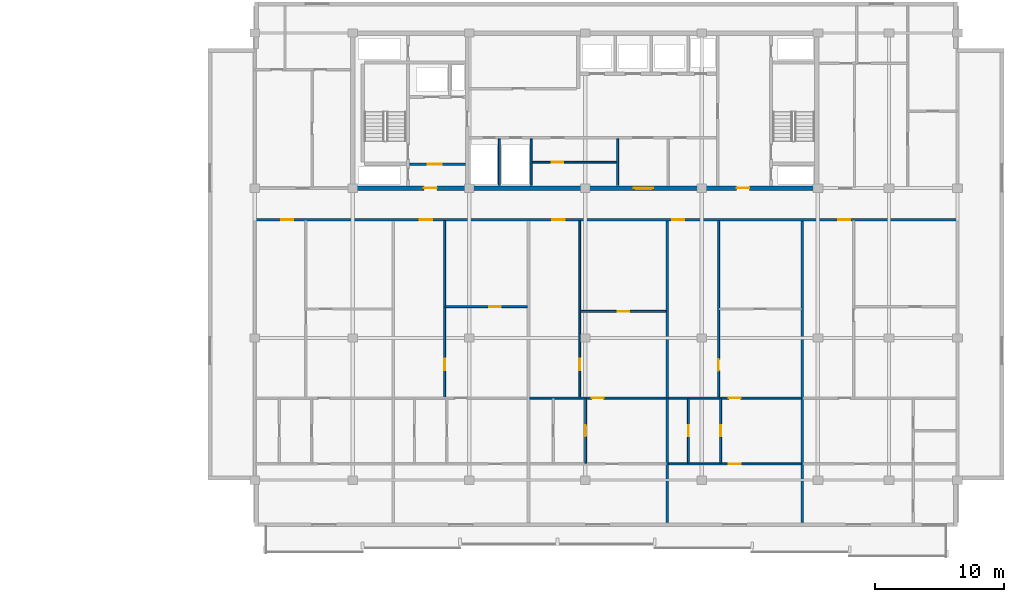
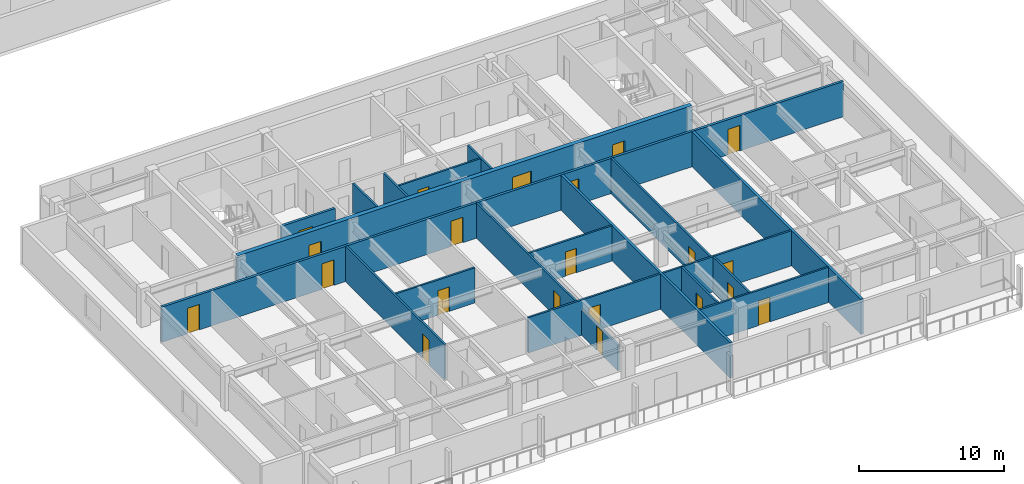
# One storey, part 5 of 21: 21 doors, 20 walls, 21 openings.
"""IFC4 building model written with IfcOpenShell, lengths in metres."""

from ifc_helpers import new_model, si_unit, direction, frame, frame_2d, origin, place, context, subcontext, project, spatial, rectangle, extrude, material, layer, layer_set, type_object, element, fill, save


model = new_model("IFC4")

# Units and contexts
model_context = context("Model", 3, precision=1e-05, world=origin(), true_north=direction((0.0, 1.0)))
body_context = subcontext(model_context, "Body", "Model", "MODEL_VIEW")
ifc_project = project(units=[si_unit("LENGTHUNIT", "METRE"), si_unit("AREAUNIT", "SQUARE_METRE"), si_unit("VOLUMEUNIT", "CUBIC_METRE"), si_unit("PLANEANGLEUNIT", "RADIAN"), si_unit("MASSUNIT", "GRAM", prefix="KILO")], contexts=[model_context])

# Site, building, storey
site_placement = place(None, origin())
site = spatial("IfcSite", under=ifc_project, at=site_placement, CompositionType="ELEMENT")
building_placement = place(site_placement, origin())
building = spatial("IfcBuilding", under=site, at=building_placement, Name="Korimba Cascade Residences", CompositionType="ELEMENT")
storey_placement = place(building_placement, frame((0.0, 0.0, 171.85009765625)))
storey = spatial("IfcBuildingStorey", under=building, at=storey_placement, Name="L49", CompositionType="ELEMENT", Elevation=171.85009765625)

# Wall, openings, doors
ifc_material_1 = material(Name="Concrete C65/80", Category="concrete")
ifc_layer_1 = layer(ifc_material_1, 0.35009765625)
ifc_layer_set_1 = layer_set([ifc_layer_1], Name="Concrete C65/80")
wall_type_1 = type_object("IfcWallType", Name="WAL-CORE-350", PredefinedType="SHEAR", material=ifc_layer_set_1)
wall_1_placement = place(storey_placement, frame((81.925048828125, 18.39990234375, 0.0), z_axis=(0.0, 0.0, 1.0), x_axis=(1.0, 0.0, 0.0)))
wall_1 = element("IfcWall", 1, at=wall_1_placement, inside=storey, type_object=wall_type_1, Name="L49 Core Shear Wall CW-L49-T2-S", PredefinedType="SHEAR", context=body_context, shape_type="SweptSolid", body=[
    extrude(rectangle(XDim=36.264892578125, YDim=0.35009765625, at=frame_2d((18.13232421875, 0.0))), origin(), (0.0, 0.0, 1.0), 3.25),
])
opening_1_placement = place(wall_1_placement, frame((5.675048828125, 0.0, 0.0)))
opening_1 = element("IfcOpeningElement", 2, at=opening_1_placement, cuts=wall_1, Name="Opening D-FD5", PredefinedType="OPENING", context=body_context, shape_type="SweptSolid", body=[
    extrude(rectangle(XDim=1.0, YDim=2.14990234375, at=frame_2d((0.5, 1.074951171875))), frame((0.0, 0.18505859375, 0.0), z_axis=(0.0, -1.0, 0.0), x_axis=(1.0, 0.0, 0.0)), (0.0, 0.0, 1.0), 0.3701171875),
])
opening_2_placement = place(wall_1_placement, frame((21.925048828125, 0.0, 0.0)))
opening_2 = element("IfcOpeningElement", 3, at=opening_2_placement, cuts=wall_1, Name="Opening D-FD8", PredefinedType="OPENING", context=body_context, shape_type="SweptSolid", body=[
    extrude(rectangle(XDim=1.5, YDim=2.199951171875, at=frame_2d((0.75, 1.10009765625))), frame((0.0, 0.18505859375, 0.0), z_axis=(0.0, -1.0, 0.0), x_axis=(1.0, 0.0, 0.0)), (0.0, 0.0, 1.0), 0.3701171875),
])
opening_3_placement = place(wall_1_placement, frame((29.875, 0.0, 0.0)))
opening_3 = element("IfcOpeningElement", 4, at=opening_3_placement, cuts=wall_1, Name="Opening D-FD5", PredefinedType="OPENING", context=body_context, shape_type="SweptSolid", body=[
    extrude(rectangle(XDim=1.0, YDim=2.14990234375, at=frame_2d((0.5, 1.074951171875))), frame((0.0, 0.18505859375, 0.0), z_axis=(0.0, -1.0, 0.0), x_axis=(1.0, 0.0, 0.0)), (0.0, 0.0, 1.0), 0.3701171875),
])
ifc_material_2 = material(Name="Fire-Rated Acoustic Timber Vestibule Door", Category="wood")
door_type_1 = type_object("IfcDoorType", Name="DR-FD90-1000", OperationType="NOTDEFINED", PredefinedType="DOOR", material=ifc_material_2)
door_1_placement = place(opening_1_placement, origin())
door_1 = element("IfcDoor", 5, at=door_1_placement, inside=storey, type_object=door_type_1, Name="L49 T2 West Core Vestibule Fire Door", OperationType="SINGLE_SWING_RIGHT", OverallHeight=2.14990234375, OverallWidth=1.0, PredefinedType="DOOR", context=body_context, shape_type="SweptSolid", body=[
    extrude(rectangle(XDim=1.0, YDim=2.14990234375, at=frame_2d((0.5, 1.074951171875))), frame((0.0, 0.02490234375, 0.0), z_axis=(0.0, -1.0, 0.0), x_axis=(1.0, 0.0, 0.0)), (0.0, 0.0, 1.0), 0.050048828125),
])
fill(opening_1, door_1)
door_2_placement = place(opening_3_placement, origin())
door_2 = element("IfcDoor", 6, at=door_2_placement, inside=storey, type_object=door_type_1, Name="L49 T2 East Stair Vestibule Fire Door", OperationType="SINGLE_SWING_LEFT", OverallHeight=2.14990234375, OverallWidth=1.0, PredefinedType="DOOR", context=body_context, shape_type="SweptSolid", body=[
    extrude(rectangle(XDim=1.0, YDim=2.14990234375, at=frame_2d((0.5, 1.074951171875))), frame((0.0, 0.02490234375, 0.0), z_axis=(0.0, -1.0, 0.0), x_axis=(1.0, 0.0, 0.0)), (0.0, 0.0, 1.0), 0.050048828125),
])
fill(opening_3, door_2)
ifc_material_3 = material(Name="Fire-Rated Glazed Lift Lobby Double Door", Category="glass")
door_type_2 = type_object("IfcDoorType", Name="DR-FD90-1500", OperationType="NOTDEFINED", PredefinedType="DOOR", material=ifc_material_3)
door_3_placement = place(opening_2_placement, origin())
door_3 = element("IfcDoor", 7, at=door_3_placement, inside=storey, type_object=door_type_2, Name="L49 T2 Lift Lobby Fire Door", OperationType="DOUBLE_DOOR_SINGLE_SWING", OverallHeight=2.199951171875, OverallWidth=1.5, PredefinedType="DOOR", context=body_context, shape_type="SweptSolid", body=[
    extrude(rectangle(XDim=1.5, YDim=2.199951171875, at=frame_2d((0.75, 1.10009765625))), frame((0.0, 0.02490234375, 0.0), z_axis=(0.0, -1.0, 0.0), x_axis=(1.0, 0.0, 0.0)), (0.0, 0.0, 1.0), 0.050048828125),
])
fill(opening_2, door_3)

# Walls
ifc_material_4 = material(Name="Precast concrete C40/50", Category="concrete")
ifc_layer_2 = layer(ifc_material_4, 0.199951171875)
ifc_layer_set_2 = layer_set([ifc_layer_2], Name="Precast concrete C40/50")
wall_type_2 = type_object("IfcWallType", Name="WAL-IT-200", PredefinedType="PARTITIONING", material=ifc_layer_set_2)
for number, where, z_axis, x_axis, name in (
    (8, (106.436767578125, -7.5, 0.0), (0.0, 0.0, 1.0), (0.0, 1.0, 0.0), "L49 Partition Wall WAL-L49-T2-DEM-3"),
    (9, (116.891845703125, -7.5, 0.0), (0.0, 0.0, 1.0), (0.0, 1.0, 0.0), "L49 Partition Wall WAL-L49-T2-DEM-4"),
):
    element("IfcWall", number, at=place(storey_placement, frame(where, z_axis=z_axis, x_axis=x_axis)), inside=storey, type_object=wall_type_2, Name=name, PredefinedType="PARTITIONING", context=body_context, shape_type="SweptSolid", body=[
        extrude(rectangle(XDim=23.3701171875, YDim=0.199951171875, at=frame_2d((11.68505859375, 0.0))), origin(), (0.0, 0.0, 1.0), 2.969970703125),
    ])

# Wall, openings, doors
wall_2_placement = place(storey_placement, frame((74.5, 15.949951171875, 0.0), z_axis=(0.0, 0.0, 1.0), x_axis=(1.0, 0.0, 0.0)))
wall_2 = element("IfcWall", 10, at=wall_2_placement, inside=storey, type_object=wall_type_2, Name="L49 Partition Wall WAL-L49-T2-CORS", PredefinedType="PARTITIONING", context=body_context, shape_type="SweptSolid", body=[
    extrude(rectangle(XDim=54.39990234375, YDim=0.199951171875, at=frame_2d((27.199951171875, 0.0))), origin(), (0.0, 0.0, 1.0), 2.969970703125),
])
opening_4_placement = place(wall_2_placement, frame((2.044921875, 0.0, 0.0)))
opening_4 = element("IfcOpeningElement", 11, at=opening_4_placement, cuts=wall_2, Name="Opening D-UN1", PredefinedType="OPENING", context=body_context, shape_type="SweptSolid", body=[
    extrude(rectangle(XDim=0.949951171875, YDim=2.14990234375, at=frame_2d((0.47509765625, 1.074951171875))), frame((0.0, 0.10986328125, 0.0), z_axis=(0.0, -1.0, 0.0), x_axis=(1.0, 0.0, 0.0)), (0.0, 0.0, 1.0), 0.219970703125),
])
opening_5_placement = place(wall_2_placement, frame((12.785888671875, 0.0, 0.0)))
opening_5 = element("IfcOpeningElement", 12, at=opening_5_placement, cuts=wall_2, Name="Opening D-UN1", PredefinedType="OPENING", context=body_context, shape_type="SweptSolid", body=[
    extrude(rectangle(XDim=0.949951171875, YDim=2.14990234375, at=frame_2d((0.47509765625, 1.074951171875))), frame((0.0, 0.10986328125, 0.0), z_axis=(0.0, -1.0, 0.0), x_axis=(1.0, 0.0, 0.0)), (0.0, 0.0, 1.0), 0.219970703125),
])
opening_6_placement = place(wall_2_placement, frame((23.053955078125, 0.0, 0.0)))
opening_6 = element("IfcOpeningElement", 13, at=opening_6_placement, cuts=wall_2, Name="Opening D-UN1", PredefinedType="OPENING", context=body_context, shape_type="SweptSolid", body=[
    extrude(rectangle(XDim=0.949951171875, YDim=2.14990234375, at=frame_2d((0.47509765625, 1.074951171875))), frame((0.0, 0.10986328125, 0.0), z_axis=(0.0, -1.0, 0.0), x_axis=(1.0, 0.0, 0.0)), (0.0, 0.0, 1.0), 0.219970703125),
])
opening_7_placement = place(wall_2_placement, frame((32.306884765625, 0.0, 0.0)))
opening_7 = element("IfcOpeningElement", 14, at=opening_7_placement, cuts=wall_2, Name="Opening D-UN1", PredefinedType="OPENING", context=body_context, shape_type="SweptSolid", body=[
    extrude(rectangle(XDim=0.949951171875, YDim=2.14990234375, at=frame_2d((0.47509765625, 1.074951171875))), frame((0.0, 0.10986328125, 0.0), z_axis=(0.0, -1.0, 0.0), x_axis=(1.0, 0.0, 0.0)), (0.0, 0.0, 1.0), 0.219970703125),
])
opening_8_placement = place(wall_2_placement, frame((45.161865234375, 0.0, 0.0)))
opening_8 = element("IfcOpeningElement", 15, at=opening_8_placement, cuts=wall_2, Name="Opening D-UN1", PredefinedType="OPENING", context=body_context, shape_type="SweptSolid", body=[
    extrude(rectangle(XDim=0.949951171875, YDim=2.14990234375, at=frame_2d((0.47509765625, 1.074951171875))), frame((0.0, 0.10986328125, 0.0), z_axis=(0.0, -1.0, 0.0), x_axis=(1.0, 0.0, 0.0)), (0.0, 0.0, 1.0), 0.219970703125),
])
ifc_material_5 = material(Name="Fire-Rated Hardwood Apartment Entrance Door", Category="wood")
door_type_3 = type_object("IfcDoorType", Name="DR-FD60-950", OperationType="NOTDEFINED", PredefinedType="DOOR", material=ifc_material_5)
door_4_placement = place(opening_4_placement, origin())
door_4 = element("IfcDoor", 16, at=door_4_placement, inside=storey, type_object=door_type_3, Name="Unit L49-T2-U01 Entrance Door", OperationType="SINGLE_SWING_RIGHT", OverallHeight=2.14990234375, OverallWidth=0.949951171875, PredefinedType="DOOR", context=body_context, shape_type="SweptSolid", body=[
    extrude(rectangle(XDim=0.949951171875, YDim=2.14990234375, at=frame_2d((0.47509765625, 1.074951171875))), frame((0.0, 0.02490234375, 0.0), z_axis=(0.0, -1.0, 0.0), x_axis=(1.0, 0.0, 0.0)), (0.0, 0.0, 1.0), 0.050048828125),
])
fill(opening_4, door_4)
door_5_placement = place(opening_5_placement, origin())
door_5 = element("IfcDoor", 17, at=door_5_placement, inside=storey, type_object=door_type_3, Name="Unit L49-T2-U02 Entrance Door", OperationType="SINGLE_SWING_LEFT", OverallHeight=2.14990234375, OverallWidth=0.949951171875, PredefinedType="DOOR", context=body_context, shape_type="SweptSolid", body=[
    extrude(rectangle(XDim=0.949951171875, YDim=2.14990234375, at=frame_2d((0.47509765625, 1.074951171875))), frame((0.0, 0.02490234375, 0.0), z_axis=(0.0, -1.0, 0.0), x_axis=(1.0, 0.0, 0.0)), (0.0, 0.0, 1.0), 0.050048828125),
])
fill(opening_5, door_5)
door_6_placement = place(opening_6_placement, origin())
door_6 = element("IfcDoor", 18, at=door_6_placement, inside=storey, type_object=door_type_3, Name="Unit L49-T2-U03 Entrance Door", OperationType="SINGLE_SWING_RIGHT", OverallHeight=2.14990234375, OverallWidth=0.949951171875, PredefinedType="DOOR", context=body_context, shape_type="SweptSolid", body=[
    extrude(rectangle(XDim=0.949951171875, YDim=2.14990234375, at=frame_2d((0.47509765625, 1.074951171875))), frame((0.0, 0.02490234375, 0.0), z_axis=(0.0, -1.0, 0.0), x_axis=(1.0, 0.0, 0.0)), (0.0, 0.0, 1.0), 0.050048828125),
])
fill(opening_6, door_6)
door_7_placement = place(opening_7_placement, origin())
door_7 = element("IfcDoor", 19, at=door_7_placement, inside=storey, type_object=door_type_3, Name="Unit L49-T2-U04 Entrance Door", OperationType="SINGLE_SWING_LEFT", OverallHeight=2.14990234375, OverallWidth=0.949951171875, PredefinedType="DOOR", context=body_context, shape_type="SweptSolid", body=[
    extrude(rectangle(XDim=0.949951171875, YDim=2.14990234375, at=frame_2d((0.47509765625, 1.074951171875))), frame((0.0, 0.02490234375, 0.0), z_axis=(0.0, -1.0, 0.0), x_axis=(1.0, 0.0, 0.0)), (0.0, 0.0, 1.0), 0.050048828125),
])
fill(opening_7, door_7)
door_8_placement = place(opening_8_placement, origin())
door_8 = element("IfcDoor", 20, at=door_8_placement, inside=storey, type_object=door_type_3, Name="Unit L49-T2-U05 Entrance Door", OperationType="SINGLE_SWING_RIGHT", OverallHeight=2.14990234375, OverallWidth=0.949951171875, PredefinedType="DOOR", context=body_context, shape_type="SweptSolid", body=[
    extrude(rectangle(XDim=0.949951171875, YDim=2.14990234375, at=frame_2d((0.47509765625, 1.074951171875))), frame((0.0, 0.02490234375, 0.0), z_axis=(0.0, -1.0, 0.0), x_axis=(1.0, 0.0, 0.0)), (0.0, 0.0, 1.0), 0.050048828125),
])
fill(opening_8, door_8)

# Walls
ifc_material_6 = material(Name="Insulated Acoustic Stud Partition", Category="gypsum")
ifc_layer_3 = layer(ifc_material_6, 0.14990234375)
ifc_layer_set_3 = layer_set([ifc_layer_3], Name="Insulated Acoustic Stud Partition")
wall_type_3 = type_object("IfcWallType", Name="WAL-PART-150", PredefinedType="PARTITIONING", material=ifc_layer_set_3)
for number, where, z_axis, x_axis, name in (
    (21, (93.449951171875, 18.60009765625, 0.0), (0.0, 0.0, 1.0), (0.0, 1.0, 0.0), "L49 Partition Wall CW-L49-T2-ERDIV"),
    (22, (95.89990234375, 18.60009765625, 0.0), (0.0, 0.0, 1.0), (0.0, 1.0, 0.0), "L49 Partition Wall CW-L49-T2-PRDIV"),
):
    element("IfcWall", number, at=place(storey_placement, frame(where, z_axis=z_axis, x_axis=x_axis)), inside=storey, type_object=wall_type_3, Name=name, PredefinedType="PARTITIONING", context=body_context, shape_type="SweptSolid", body=[
        extrude(rectangle(XDim=3.599853515625, YDim=0.14990234375, at=frame_2d((1.7998046875, 0.0))), origin(), (0.0, 0.0, 1.0), 2.969970703125),
    ])

# Wall, opening, door
wall_3_placement = place(storey_placement, frame((95.89990234375, 20.39990234375, 0.0), z_axis=(0.0, 0.0, 1.0), x_axis=(1.0, 0.0, 0.0)))
wall_3 = element("IfcWall", 23, at=wall_3_placement, inside=storey, type_object=wall_type_3, Name="L49 Partition Wall CW-L49-T2-CA2HZ", PredefinedType="PARTITIONING", context=body_context, shape_type="SweptSolid", body=[
    extrude(rectangle(XDim=6.7001953125, YDim=0.14990234375, at=frame_2d((3.35009765625, 0.0))), origin(), (0.0, 0.0, 1.0), 2.969970703125),
])
opening_9_placement = place(wall_3_placement, frame((1.60009765625, 0.0, 0.0)))
opening_9 = element("IfcOpeningElement", 24, at=opening_9_placement, cuts=wall_3, Name="Opening D-IN2", PredefinedType="OPENING", context=body_context, shape_type="SweptSolid", body=[
    extrude(rectangle(XDim=0.8798828125, YDim=2.06005859375, at=frame_2d((0.43994140625, 1.030029296875))), frame((0.0, 0.0849609375, 0.0), z_axis=(0.0, -1.0, 0.0), x_axis=(1.0, 0.0, 0.0)), (0.0, 0.0, 1.0), 0.169921875),
])
ifc_material_7 = material(Name="Acoustic Timber Bedroom Door", Category="wood")
door_type_4 = type_object("IfcDoorType", Name="DR-INT-880", OperationType="NOTDEFINED", PredefinedType="DOOR", material=ifc_material_7)
door_9_placement = place(opening_9_placement, origin())
door_9 = element("IfcDoor", 25, at=door_9_placement, inside=storey, type_object=door_type_4, Name="L49 T2 Pram Store Door", OperationType="SINGLE_SWING_RIGHT", OverallHeight=2.06005859375, OverallWidth=0.8798828125, PredefinedType="DOOR", context=body_context, shape_type="SweptSolid", body=[
    extrude(rectangle(XDim=0.8798828125, YDim=2.06005859375, at=frame_2d((0.43994140625, 1.030029296875))), frame((0.0, 0.02490234375, 0.0), z_axis=(0.0, -1.0, 0.0), x_axis=(1.0, 0.0, 0.0)), (0.0, 0.0, 1.0), 0.050048828125),
])
fill(opening_9, door_9)

# Wall
wall_4_placement = place(storey_placement, frame((102.60009765625, 18.60009765625, 0.0), z_axis=(0.0, 0.0, 1.0), x_axis=(0.0, 1.0, 0.0)))
element("IfcWall", 26, at=wall_4_placement, inside=storey, type_object=wall_type_3, Name="L49 Partition Wall CW-L49-T2-THW", PredefinedType="PARTITIONING", context=body_context, shape_type="SweptSolid", body=[
    extrude(rectangle(XDim=3.599853515625, YDim=0.14990234375, at=frame_2d((1.7998046875, 0.0))), origin(), (0.0, 0.0, 1.0), 2.969970703125),
])

# Wall, opening, door
wall_5_placement = place(storey_placement, frame((89.27099609375, 9.219970703125, 0.0), z_axis=(0.0, 0.0, 1.0), x_axis=(1.0, 0.0, 0.0)))
wall_5 = element("IfcWall", 27, at=wall_5_placement, inside=storey, type_object=wall_type_3, Name="L49 Partition Wall WAL-L49-T2-U02-FMH", PredefinedType="PARTITIONING", context=body_context, shape_type="SweptSolid", body=[
    extrude(rectangle(XDim=6.344970703125, YDim=0.14990234375, at=frame_2d((3.17236328125, 0.0))), origin(), (0.0, 0.0, 1.0), 2.969970703125),
])
opening_10_placement = place(wall_5_placement, frame((3.399658203125, 0.0, 0.0)))
opening_10 = element("IfcOpeningElement", 28, at=opening_10_placement, cuts=wall_5, Name="Opening D-IN2", PredefinedType="OPENING", context=body_context, shape_type="SweptSolid", body=[
    extrude(rectangle(XDim=0.8798828125, YDim=2.06005859375, at=frame_2d((0.43994140625, 1.030029296875))), frame((0.0, 0.0849609375, 0.0), z_axis=(0.0, -1.0, 0.0), x_axis=(1.0, 0.0, 0.0)), (0.0, 0.0, 1.0), 0.169921875),
])
door_10_placement = place(opening_10_placement, origin())
door_10 = element("IfcDoor", 29, at=door_10_placement, inside=storey, type_object=door_type_4, Name="L49-T2-U02 Library Salon Door", OperationType="SINGLE_SWING_LEFT", OverallHeight=2.06005859375, OverallWidth=0.8798828125, PredefinedType="DOOR", context=body_context, shape_type="SweptSolid", body=[
    extrude(rectangle(XDim=0.8798828125, YDim=2.06005859375, at=frame_2d((0.43994140625, 1.030029296875))), frame((0.0, 0.02490234375, 0.0), z_axis=(0.0, -1.0, 0.0), x_axis=(1.0, 0.0, 0.0)), (0.0, 0.0, 1.0), 0.050048828125),
])
fill(opening_10, door_10)

wall_6_placement = place(storey_placement, frame((89.2109375, 2.18994140625, 0.0), z_axis=(0.0, 0.0, 1.0), x_axis=(0.0, 1.0, 0.0)))
wall_6 = element("IfcWall", 30, at=wall_6_placement, inside=storey, type_object=wall_type_3, Name="L49 Partition Wall WAL-L49-T2-U02-FV", PredefinedType="PARTITIONING", context=body_context, shape_type="SweptSolid", body=[
    extrude(rectangle(XDim=13.699951171875, YDim=0.14990234375, at=frame_2d((6.85009765625, 0.0))), origin(), (0.0, 0.0, 1.0), 2.969970703125),
])
opening_11_placement = place(wall_6_placement, frame((2.1259765625, 0.0, 0.0)))
opening_11 = element("IfcOpeningElement", 31, at=opening_11_placement, cuts=wall_6, Name="Opening D-IN2", PredefinedType="OPENING", context=body_context, shape_type="SweptSolid", body=[
    extrude(rectangle(XDim=0.8798828125, YDim=2.06005859375, at=frame_2d((0.43994140625, 1.030029296875))), frame((0.0, 0.0849609375, 0.0), z_axis=(0.0, -1.0, 0.0), x_axis=(1.0, 0.0, 0.0)), (0.0, 0.0, 1.0), 0.169921875),
])
door_11_placement = place(opening_11_placement, origin())
door_11 = element("IfcDoor", 32, at=door_11_placement, inside=storey, type_object=door_type_4, Name="L49-T2-U02 Media Lounge Door", OperationType="SINGLE_SWING_RIGHT", OverallHeight=2.06005859375, OverallWidth=0.8798828125, PredefinedType="DOOR", context=body_context, shape_type="SweptSolid", body=[
    extrude(rectangle(XDim=0.8798828125, YDim=2.06005859375, at=frame_2d((0.43994140625, 1.030029296875))), frame((0.0, 0.02490234375, 0.0), z_axis=(0.0, -1.0, 0.0), x_axis=(1.0, 0.0, 0.0)), (0.0, 0.0, 1.0), 0.050048828125),
])
fill(opening_11, door_11)

wall_7_placement = place(storey_placement, frame((99.725830078125, 8.860107421875, 0.0), z_axis=(0.0, 0.0, 1.0), x_axis=(1.0, 0.0, 0.0)))
wall_7 = element("IfcWall", 33, at=wall_7_placement, inside=storey, type_object=wall_type_3, Name="L49 Partition Wall WAL-L49-T2-U03-FMH", PredefinedType="PARTITIONING", context=body_context, shape_type="SweptSolid", body=[
    extrude(rectangle(XDim=6.630859375, YDim=0.14990234375, at=frame_2d((3.3154296875, 0.0))), origin(), (0.0, 0.0, 1.0), 2.969970703125),
])
opening_12_placement = place(wall_7_placement, frame((2.87548828125, 0.0, 0.0)))
opening_12 = element("IfcOpeningElement", 34, at=opening_12_placement, cuts=wall_7, Name="Opening D-IN2", PredefinedType="OPENING", context=body_context, shape_type="SweptSolid", body=[
    extrude(rectangle(XDim=0.8798828125, YDim=2.06005859375, at=frame_2d((0.43994140625, 1.030029296875))), frame((0.0, 0.0849609375, 0.0), z_axis=(0.0, -1.0, 0.0), x_axis=(1.0, 0.0, 0.0)), (0.0, 0.0, 1.0), 0.169921875),
])
door_12_placement = place(opening_12_placement, origin())
door_12 = element("IfcDoor", 35, at=door_12_placement, inside=storey, type_object=door_type_4, Name="L49-T2-U03 Library Salon Door", OperationType="SINGLE_SWING_LEFT", OverallHeight=2.06005859375, OverallWidth=0.8798828125, PredefinedType="DOOR", context=body_context, shape_type="SweptSolid", body=[
    extrude(rectangle(XDim=0.8798828125, YDim=2.06005859375, at=frame_2d((0.43994140625, 1.030029296875))), frame((0.0, 0.02490234375, 0.0), z_axis=(0.0, -1.0, 0.0), x_axis=(1.0, 0.0, 0.0)), (0.0, 0.0, 1.0), 0.050048828125),
])
fill(opening_12, door_12)

wall_8_placement = place(storey_placement, frame((99.666015625, 2.18994140625, 0.0), z_axis=(0.0, 0.0, 1.0), x_axis=(0.0, 1.0, 0.0)))
wall_8 = element("IfcWall", 36, at=wall_8_placement, inside=storey, type_object=wall_type_3, Name="L49 Partition Wall WAL-L49-T2-U03-FV", PredefinedType="PARTITIONING", context=body_context, shape_type="SweptSolid", body=[
    extrude(rectangle(XDim=13.699951171875, YDim=0.14990234375, at=frame_2d((6.85009765625, 0.0))), origin(), (0.0, 0.0, 1.0), 2.969970703125),
])
opening_13_placement = place(wall_8_placement, frame((2.114501953125, 0.0, 0.0)))
opening_13 = element("IfcOpeningElement", 37, at=opening_13_placement, cuts=wall_8, Name="Opening D-IN2", PredefinedType="OPENING", context=body_context, shape_type="SweptSolid", body=[
    extrude(rectangle(XDim=0.8798828125, YDim=2.06005859375, at=frame_2d((0.43994140625, 1.030029296875))), frame((0.0, 0.0849609375, 0.0), z_axis=(0.0, -1.0, 0.0), x_axis=(1.0, 0.0, 0.0)), (0.0, 0.0, 1.0), 0.169921875),
])
door_13_placement = place(opening_13_placement, origin())
door_13 = element("IfcDoor", 38, at=door_13_placement, inside=storey, type_object=door_type_4, Name="L49-T2-U03 Media Lounge Door", OperationType="SINGLE_SWING_RIGHT", OverallHeight=2.06005859375, OverallWidth=0.8798828125, PredefinedType="DOOR", context=body_context, shape_type="SweptSolid", body=[
    extrude(rectangle(XDim=0.8798828125, YDim=2.06005859375, at=frame_2d((0.43994140625, 1.030029296875))), frame((0.0, 0.02490234375, 0.0), z_axis=(0.0, -1.0, 0.0), x_axis=(1.0, 0.0, 0.0)), (0.0, 0.0, 1.0), 0.050048828125),
])
fill(opening_13, door_13)

wall_9_placement = place(storey_placement, frame((100.11669921875, -2.889892578125, 0.0), z_axis=(0.0, 0.0, 1.0), x_axis=(0.0, 1.0, 0.0)))
wall_9 = element("IfcWall", 39, at=wall_9_placement, inside=storey, type_object=wall_type_3, Name="L49 Partition Wall WAL-L49-T2-U03-BM", PredefinedType="PARTITIONING", context=body_context, shape_type="SweptSolid", body=[
    extrude(rectangle(XDim=5.0, YDim=0.14990234375, at=frame_2d((2.5, 0.0))), origin(), (0.0, 0.0, 1.0), 2.2001953125),
])
opening_14_placement = place(wall_9_placement, frame((2.080078125, 0.0, 0.0)))
opening_14 = element("IfcOpeningElement", 40, at=opening_14_placement, cuts=wall_9, Name="Opening D-BT1", PredefinedType="OPENING", context=body_context, shape_type="SweptSolid", body=[
    extrude(rectangle(XDim=0.840087890625, YDim=2.0400390625, at=frame_2d((0.419921875, 1.02001953125))), frame((0.0, 0.0849609375, 0.0), z_axis=(0.0, -1.0, 0.0), x_axis=(1.0, 0.0, 0.0)), (0.0, 0.0, 1.0), 0.169921875),
])
ifc_material_8 = material(Name="Moisture-Resistant Bathroom Timber Door", Category="wood")
door_type_5 = type_object("IfcDoorType", Name="DR-INT-850", OperationType="NOTDEFINED", PredefinedType="DOOR", material=ifc_material_8)
door_14_placement = place(opening_14_placement, origin())
door_14 = element("IfcDoor", 41, at=door_14_placement, inside=storey, type_object=door_type_5, Name="L49-T2-U03 Bathroom Door", OperationType="SINGLE_SWING_RIGHT", OverallHeight=2.0400390625, OverallWidth=0.840087890625, PredefinedType="DOOR", context=body_context, shape_type="SweptSolid", body=[
    extrude(rectangle(XDim=0.840087890625, YDim=2.0400390625, at=frame_2d((0.419921875, 1.02001953125))), frame((0.0, 0.02490234375, 0.0), z_axis=(0.0, -1.0, 0.0), x_axis=(1.0, 0.0, 0.0)), (0.0, 0.0, 1.0), 0.050048828125),
])
fill(opening_14, door_14)

wall_10_placement = place(storey_placement, frame((95.77587890625, 2.14990234375, 0.0), z_axis=(0.0, 0.0, 1.0), x_axis=(1.0, 0.0, 0.0)))
wall_10 = element("IfcWall", 42, at=wall_10_placement, inside=storey, type_object=wall_type_3, Name="L49 Partition Wall WAL-L49-T2-U03-MW", PredefinedType="PARTITIONING", context=body_context, shape_type="SweptSolid", body=[
    extrude(rectangle(XDim=10.580810546875, YDim=0.14990234375, at=frame_2d((5.29052734375, 0.0))), origin(), (0.0, 0.0, 1.0), 2.969970703125),
])
opening_15_placement = place(wall_10_placement, frame((4.83056640625, 0.0, 0.0)))
opening_15 = element("IfcOpeningElement", 43, at=opening_15_placement, cuts=wall_10, Name="Opening D-IN1", PredefinedType="OPENING", context=body_context, shape_type="SweptSolid", body=[
    extrude(rectangle(XDim=0.919921875, YDim=2.080078125, at=frame_2d((0.4599609375, 1.0400390625))), frame((0.0, 0.0849609375, 0.0), z_axis=(0.0, -1.0, 0.0), x_axis=(1.0, 0.0, 0.0)), (0.0, 0.0, 1.0), 0.169921875),
])
ifc_material_9 = material(Name="Acoustic Timber Living Door", Category="wood")
door_type_6 = type_object("IfcDoorType", Name="DR-INT-920", OperationType="NOTDEFINED", PredefinedType="DOOR", material=ifc_material_9)
door_15_placement = place(opening_15_placement, origin())
door_15 = element("IfcDoor", 44, at=door_15_placement, inside=storey, type_object=door_type_6, Name="L49-T2-U03 Studio Kitchen Door", OperationType="SINGLE_SWING_LEFT", OverallHeight=2.080078125, OverallWidth=0.919921875, PredefinedType="DOOR", context=body_context, shape_type="SweptSolid", body=[
    extrude(rectangle(XDim=0.919921875, YDim=2.080078125, at=frame_2d((0.4599609375, 1.0400390625))), frame((0.0, 0.02490234375, 0.0), z_axis=(0.0, -1.0, 0.0), x_axis=(1.0, 0.0, 0.0)), (0.0, 0.0, 1.0), 0.050048828125),
])
fill(opening_15, door_15)

wall_11_placement = place(storey_placement, frame((110.40673828125, 2.18994140625, 0.0), z_axis=(0.0, 0.0, 1.0), x_axis=(0.0, 1.0, 0.0)))
wall_11 = element("IfcWall", 45, at=wall_11_placement, inside=storey, type_object=wall_type_3, Name="L49 Partition Wall WAL-L49-T2-U04-FV", PredefinedType="PARTITIONING", context=body_context, shape_type="SweptSolid", body=[
    extrude(rectangle(XDim=13.699951171875, YDim=0.14990234375, at=frame_2d((6.85009765625, 0.0))), origin(), (0.0, 0.0, 1.0), 2.969970703125),
])
opening_16_placement = place(wall_11_placement, frame((2.068359375, 0.0, 0.0)))
opening_16 = element("IfcOpeningElement", 46, at=opening_16_placement, cuts=wall_11, Name="Opening D-IN2", PredefinedType="OPENING", context=body_context, shape_type="SweptSolid", body=[
    extrude(rectangle(XDim=0.8798828125, YDim=2.06005859375, at=frame_2d((0.43994140625, 1.030029296875))), frame((0.0, 0.0849609375, 0.0), z_axis=(0.0, -1.0, 0.0), x_axis=(1.0, 0.0, 0.0)), (0.0, 0.0, 1.0), 0.169921875),
])
door_16_placement = place(opening_16_placement, origin())
door_16 = element("IfcDoor", 47, at=door_16_placement, inside=storey, type_object=door_type_4, Name="L49-T2-U04 Media Lounge Door", OperationType="SINGLE_SWING_RIGHT", OverallHeight=2.06005859375, OverallWidth=0.8798828125, PredefinedType="DOOR", context=body_context, shape_type="SweptSolid", body=[
    extrude(rectangle(XDim=0.8798828125, YDim=2.06005859375, at=frame_2d((0.43994140625, 1.030029296875))), frame((0.0, 0.02490234375, 0.0), z_axis=(0.0, -1.0, 0.0), x_axis=(1.0, 0.0, 0.0)), (0.0, 0.0, 1.0), 0.050048828125),
])
fill(opening_16, door_16)

wall_12_placement = place(storey_placement, frame((108.07177734375, -2.889892578125, 0.0), z_axis=(0.0, 0.0, 1.0), x_axis=(0.0, 1.0, 0.0)))
wall_12 = element("IfcWall", 48, at=wall_12_placement, inside=storey, type_object=wall_type_3, Name="L49 Partition Wall WAL-L49-T2-U04-CLS", PredefinedType="PARTITIONING", context=body_context, shape_type="SweptSolid", body=[
    extrude(rectangle(XDim=5.0, YDim=0.14990234375, at=frame_2d((2.5, 0.0))), origin(), (0.0, 0.0, 1.0), 2.969970703125),
])
opening_17_placement = place(wall_12_placement, frame((2.080078125, 0.0, 0.0)))
opening_17 = element("IfcOpeningElement", 49, at=opening_17_placement, cuts=wall_12, Name="Opening D-BT1", PredefinedType="OPENING", context=body_context, shape_type="SweptSolid", body=[
    extrude(rectangle(XDim=0.840087890625, YDim=2.0400390625, at=frame_2d((0.419921875, 1.02001953125))), frame((0.0, 0.0849609375, 0.0), z_axis=(0.0, -1.0, 0.0), x_axis=(1.0, 0.0, 0.0)), (0.0, 0.0, 1.0), 0.169921875),
])
door_17_placement = place(opening_17_placement, origin())
door_17 = element("IfcDoor", 50, at=door_17_placement, inside=storey, type_object=door_type_5, Name="L49-T2-U04 Closet Door", OperationType="SINGLE_SWING_LEFT", OverallHeight=2.0400390625, OverallWidth=0.840087890625, PredefinedType="DOOR", context=body_context, shape_type="SweptSolid", body=[
    extrude(rectangle(XDim=0.840087890625, YDim=2.0400390625, at=frame_2d((0.419921875, 1.02001953125))), frame((0.0, 0.02490234375, 0.0), z_axis=(0.0, -1.0, 0.0), x_axis=(1.0, 0.0, 0.0)), (0.0, 0.0, 1.0), 0.050048828125),
])
fill(opening_17, door_17)

wall_13_placement = place(storey_placement, frame((110.57177734375, -2.889892578125, 0.0), z_axis=(0.0, 0.0, 1.0), x_axis=(0.0, 1.0, 0.0)))
wall_13 = element("IfcWall", 51, at=wall_13_placement, inside=storey, type_object=wall_type_3, Name="L49 Partition Wall WAL-L49-T2-U04-BM", PredefinedType="PARTITIONING", context=body_context, shape_type="SweptSolid", body=[
    extrude(rectangle(XDim=5.0, YDim=0.14990234375, at=frame_2d((2.5, 0.0))), origin(), (0.0, 0.0, 1.0), 2.969970703125),
])
opening_18_placement = place(wall_13_placement, frame((2.080078125, 0.0, 0.0)))
opening_18 = element("IfcOpeningElement", 52, at=opening_18_placement, cuts=wall_13, Name="Opening D-BT1", PredefinedType="OPENING", context=body_context, shape_type="SweptSolid", body=[
    extrude(rectangle(XDim=0.840087890625, YDim=2.0400390625, at=frame_2d((0.419921875, 1.02001953125))), frame((0.0, 0.0849609375, 0.0), z_axis=(0.0, -1.0, 0.0), x_axis=(1.0, 0.0, 0.0)), (0.0, 0.0, 1.0), 0.169921875),
])
door_18_placement = place(opening_18_placement, origin())
door_18 = element("IfcDoor", 53, at=door_18_placement, inside=storey, type_object=door_type_5, Name="L49-T2-U04 Bathroom Door", OperationType="SINGLE_SWING_RIGHT", OverallHeight=2.0400390625, OverallWidth=0.840087890625, PredefinedType="DOOR", context=body_context, shape_type="SweptSolid", body=[
    extrude(rectangle(XDim=0.840087890625, YDim=2.0400390625, at=frame_2d((0.419921875, 1.02001953125))), frame((0.0, 0.02490234375, 0.0), z_axis=(0.0, -1.0, 0.0), x_axis=(1.0, 0.0, 0.0)), (0.0, 0.0, 1.0), 0.050048828125),
])
fill(opening_18, door_18)

wall_14_placement = place(storey_placement, frame((106.516845703125, 2.14990234375, 0.0), z_axis=(0.0, 0.0, 1.0), x_axis=(1.0, 0.0, 0.0)))
wall_14 = element("IfcWall", 54, at=wall_14_placement, inside=storey, type_object=wall_type_3, Name="L49 Partition Wall WAL-L49-T2-U04-MW", PredefinedType="PARTITIONING", context=body_context, shape_type="SweptSolid", body=[
    extrude(rectangle(XDim=10.294921875, YDim=0.14990234375, at=frame_2d((5.1474609375, 0.0))), origin(), (0.0, 0.0, 1.0), 2.969970703125),
])
opening_19_placement = place(wall_14_placement, frame((4.6875, 0.0, 0.0)))
opening_19 = element("IfcOpeningElement", 55, at=opening_19_placement, cuts=wall_14, Name="Opening D-IN1", PredefinedType="OPENING", context=body_context, shape_type="SweptSolid", body=[
    extrude(rectangle(XDim=0.919921875, YDim=2.080078125, at=frame_2d((0.4599609375, 1.0400390625))), frame((0.0, 0.0849609375, 0.0), z_axis=(0.0, -1.0, 0.0), x_axis=(1.0, 0.0, 0.0)), (0.0, 0.0, 1.0), 0.169921875),
])
door_19_placement = place(opening_19_placement, origin())
door_19 = element("IfcDoor", 56, at=door_19_placement, inside=storey, type_object=door_type_6, Name="L49-T2-U04 Studio Kitchen Door", OperationType="SINGLE_SWING_LEFT", OverallHeight=2.080078125, OverallWidth=0.919921875, PredefinedType="DOOR", context=body_context, shape_type="SweptSolid", body=[
    extrude(rectangle(XDim=0.919921875, YDim=2.080078125, at=frame_2d((0.4599609375, 1.0400390625))), frame((0.0, 0.02490234375, 0.0), z_axis=(0.0, -1.0, 0.0), x_axis=(1.0, 0.0, 0.0)), (0.0, 0.0, 1.0), 0.050048828125),
])
fill(opening_19, door_19)

wall_15_placement = place(storey_placement, frame((106.516845703125, -2.949951171875, 0.0), z_axis=(0.0, 0.0, 1.0), x_axis=(1.0, 0.0, 0.0)))
wall_15 = element("IfcWall", 57, at=wall_15_placement, inside=storey, type_object=wall_type_3, Name="L49 Partition Wall WAL-L49-T2-U04-HZ", PredefinedType="PARTITIONING", context=body_context, shape_type="SweptSolid", body=[
    extrude(rectangle(XDim=10.294921875, YDim=0.14990234375, at=frame_2d((5.1474609375, 0.0))), origin(), (0.0, 0.0, 1.0), 2.969970703125),
])
opening_20_placement = place(wall_15_placement, frame((4.6875, 0.0, 0.0)))
opening_20 = element("IfcOpeningElement", 58, at=opening_20_placement, cuts=wall_15, Name="Opening D-IN1", PredefinedType="OPENING", context=body_context, shape_type="SweptSolid", body=[
    extrude(rectangle(XDim=0.919921875, YDim=2.080078125, at=frame_2d((0.4599609375, 1.0400390625))), frame((0.0, 0.0849609375, 0.0), z_axis=(0.0, -1.0, 0.0), x_axis=(1.0, 0.0, 0.0)), (0.0, 0.0, 1.0), 0.169921875),
])
door_20_placement = place(opening_20_placement, origin())
door_20 = element("IfcDoor", 59, at=door_20_placement, inside=storey, type_object=door_type_6, Name="L49-T2-U04 Studio Door", OperationType="SINGLE_SWING_RIGHT", OverallHeight=2.080078125, OverallWidth=0.919921875, PredefinedType="DOOR", context=body_context, shape_type="SweptSolid", body=[
    extrude(rectangle(XDim=0.919921875, YDim=2.080078125, at=frame_2d((0.4599609375, 1.0400390625))), frame((0.0, 0.02490234375, 0.0), z_axis=(0.0, -1.0, 0.0), x_axis=(1.0, 0.0, 0.0)), (0.0, 0.0, 1.0), 0.050048828125),
])
fill(opening_20, door_20)

ifc_material_10 = material(Name="Concrete C40/50", Category="concrete")
ifc_layer_4 = layer(ifc_material_10, 0.199951171875)
ifc_layer_set_4 = layer_set([ifc_layer_4], Name="Concrete C40/50")
wall_type_4 = type_object("IfcWallType", Name="WAL-PART-200", PredefinedType="PARTITIONING", material=ifc_layer_set_4)
wall_16_placement = place(storey_placement, frame((86.5, 20.25, 0.0), z_axis=(0.0, 0.0, 1.0), x_axis=(1.0, 0.0, 0.0)))
wall_16 = element("IfcWall", 60, at=wall_16_placement, inside=storey, type_object=wall_type_4, Name="L49 Partition Wall CW-L49-T2-FFLS", PredefinedType="PARTITIONING", context=body_context, shape_type="SweptSolid", body=[
    extrude(rectangle(XDim=4.320068359375, YDim=0.199951171875, at=frame_2d((2.16015625, 0.0))), origin(), (0.0, 0.0, 1.0), 2.969970703125),
])
opening_21_placement = place(wall_16_placement, frame((1.39990234375, 0.0, 0.0)))
opening_21 = element("IfcOpeningElement", 61, at=opening_21_placement, cuts=wall_16, Name="Opening D-FD1", PredefinedType="OPENING", context=body_context, shape_type="SweptSolid", body=[
    extrude(rectangle(XDim=1.10009765625, YDim=2.10009765625, at=frame_2d((0.550048828125, 1.050048828125))), frame((0.0, 0.10986328125, 0.0), z_axis=(0.0, -1.0, 0.0), x_axis=(1.0, 0.0, 0.0)), (0.0, 0.0, 1.0), 0.219970703125),
])
ifc_material_11 = material(Name="Fire-Rated Steel Core Door", Category="steel")
door_type_7 = type_object("IfcDoorType", Name="DR-FD120-1100", OperationType="NOTDEFINED", PredefinedType="DOOR", material=ifc_material_11)
door_21_placement = place(opening_21_placement, origin())
door_21 = element("IfcDoor", 62, at=door_21_placement, inside=storey, type_object=door_type_7, Name="L49 T2 Firefighting Lobby Door", OperationType="SINGLE_SWING_RIGHT", OverallHeight=2.10009765625, OverallWidth=1.10009765625, PredefinedType="DOOR", context=body_context, shape_type="SweptSolid", body=[
    extrude(rectangle(XDim=1.10009765625, YDim=2.10009765625, at=frame_2d((0.550048828125, 1.050048828125))), frame((0.0, 0.02490234375, 0.0), z_axis=(0.0, -1.0, 0.0), x_axis=(1.0, 0.0, 0.0)), (0.0, 0.0, 1.0), 0.050048828125),
])
fill(opening_21, door_21)

save(model, "model.ifc")
